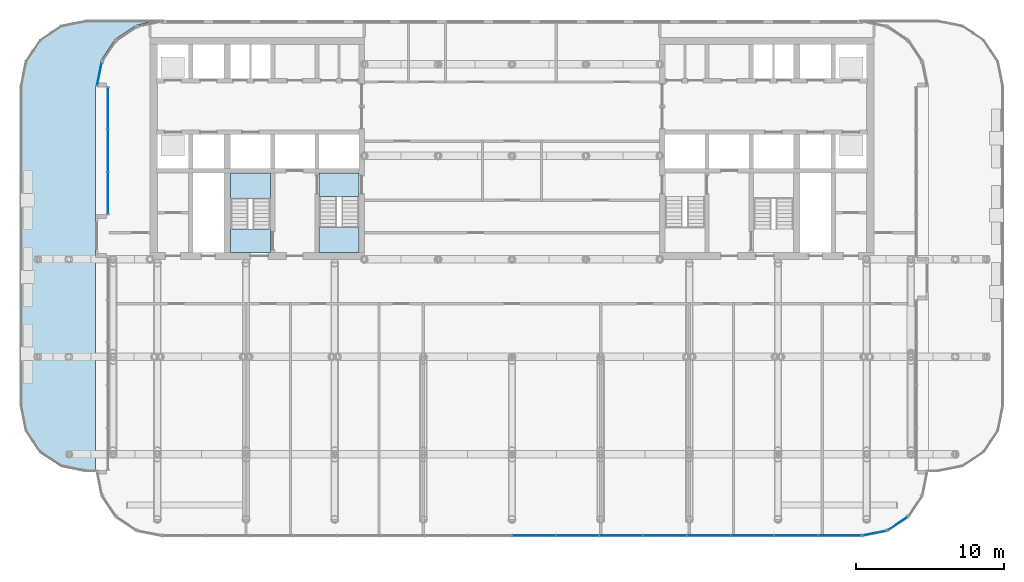
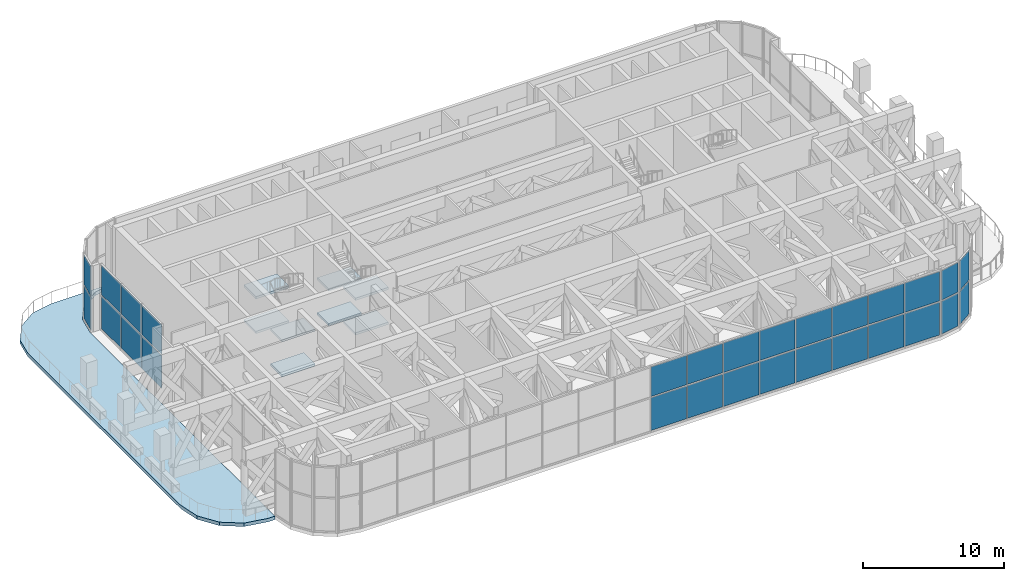
# One storey, part 12 of 25: 28 plates, 9 slabs, 7 elements without a shape of their own.
"""IFC4 building model written with IfcOpenShell, lengths in metres."""

from ifc_helpers import new_model, si_unit, direction, frame, origin, origin_2d, place, context, subcontext, project, spatial, polyline, rectangle, outline, extrude, material, layer, layer_set, type_object, element, aggregate, save


model = new_model("IFC4")

# Units and contexts
model_context = context("Model", 3, precision=1e-05, world=origin(), true_north=direction((0.0, 1.0)))
body_context = subcontext(model_context, "Body", "Model", "MODEL_VIEW")
ifc_project = project(units=[si_unit("LENGTHUNIT", "METRE"), si_unit("AREAUNIT", "SQUARE_METRE"), si_unit("VOLUMEUNIT", "CUBIC_METRE"), si_unit("PLANEANGLEUNIT", "RADIAN"), si_unit("MASSUNIT", "GRAM", prefix="KILO")], contexts=[model_context])

# Site, building, storey
site_placement = place(None, origin())
site = spatial("IfcSite", under=ifc_project, at=site_placement, CompositionType="ELEMENT")
building_placement = place(site_placement, origin())
building = spatial("IfcBuilding", under=site, at=building_placement, Name="Torana Hotel and Residences", CompositionType="ELEMENT")
storey_placement = place(building_placement, frame((0.0, 0.0, 106.800048828125)))
storey = spatial("IfcBuildingStorey", under=building, at=storey_placement, Name="L27", CompositionType="ELEMENT", Elevation=106.800048828125)

# Curtain wall, plates
ifc_material_1 = material(Name="Dark anodised aluminium", Category="aluminium")
ifc_layer_1 = layer(ifc_material_1, 0.199951171875)
ifc_layer_set_1 = layer_set([ifc_layer_1], Name="CW2 SKY LOBBY UNITISED CURTAIN WALL")
curtain_wall_type = type_object("IfcCurtainWallType", Name="CW2 SKY LOBBY UNITISED CURTAIN WALL", PredefinedType="NOTDEFINED", material=ifc_layer_set_1)
curtain_wall_1_placement = place(storey_placement, origin())
curtain_wall_1 = element("IfcCurtainWall", 1, at=curtain_wall_1_placement, inside=storey, type_object=curtain_wall_type, Name="Curtain wall CW2 L27 e0.8-1", PredefinedType="NOTDEFINED")
ifc_material_2 = material(Name="Glass dark tinted double glazed unit", Category="glass")
ifc_layer_2 = layer(ifc_material_2, 0.031982421875)
ifc_layer_set_2 = layer_set([ifc_layer_2], Name="CW2 DARK GLASS PANEL 32")
plate_type = type_object("IfcPlateType", Name="CW2 DARK GLASS PANEL 32", PredefinedType="CURTAIN_PANEL", material=ifc_layer_set_2)
plate_1_placement = place(storey_placement, frame((-27.93310546875, -2.470703125, 0.1201171875), z_axis=(0.0, 0.0, 1.0), x_axis=(-0.195063848566, -0.980790545928, 0.0)))
plate_1 = element("IfcPlate", 2, at=plate_1_placement, type_object=plate_type, Name="CW2 panel 1.1", PredefinedType="CURTAIN_PANEL", context=body_context, shape_type="SweptSolid", body=[
    extrude(rectangle(XDim=1.54150390625, YDim=0.031982421875, at=origin_2d()), origin(), (0.0, 0.0, 1.0), 2.820068359375),
])
plate_2_placement = place(storey_placement, frame((-27.93310546875, -2.470703125, 3.059814453125), z_axis=(0.0, 0.0, 1.0), x_axis=(-0.195063848566, -0.980790545928, 0.0)))
plate_2 = element("IfcPlate", 3, at=plate_2_placement, type_object=plate_type, Name="CW2 panel 1.2", PredefinedType="CURTAIN_PANEL", context=body_context, shape_type="SweptSolid", body=[
    extrude(rectangle(XDim=1.54150390625, YDim=0.031982421875, at=origin_2d()), origin(), (0.0, 0.0, 1.0), 2.5400390625),
])
aggregate(curtain_wall_1, [plate_1, plate_2])

curtain_wall_2_placement = place(storey_placement, origin())
curtain_wall_2 = element("IfcCurtainWall", 4, at=curtain_wall_2_placement, inside=storey, type_object=curtain_wall_type, Name="Curtain wall CW2 L27 e0.9-1", PredefinedType="NOTDEFINED")
plate_3_placement = place(storey_placement, frame((-27.330078125, -4.783935546875, 0.1201171875), z_axis=(0.0, 0.0, 1.0), x_axis=(0.0, -1.0, 0.0)))
plate_3 = element("IfcPlate", 5, at=plate_3_placement, type_object=plate_type, Name="CW2 panel 1.1", PredefinedType="CURTAIN_PANEL", context=body_context, shape_type="SweptSolid", body=[
    extrude(rectangle(XDim=2.7783203125, YDim=0.031982421875, at=origin_2d()), origin(), (0.0, 0.0, 1.0), 2.820068359375),
])
plate_4_placement = place(storey_placement, frame((-27.330078125, -4.783935546875, 3.059814453125), z_axis=(0.0, 0.0, 1.0), x_axis=(0.0, -1.0, 0.0)))
plate_4 = element("IfcPlate", 6, at=plate_4_placement, type_object=plate_type, Name="CW2 panel 1.2", PredefinedType="CURTAIN_PANEL", context=body_context, shape_type="SweptSolid", body=[
    extrude(rectangle(XDim=2.7783203125, YDim=0.031982421875, at=origin_2d()), origin(), (0.0, 0.0, 1.0), 2.5400390625),
])
plate_5_placement = place(storey_placement, frame((-27.330078125, -7.649658203125, 0.1201171875), z_axis=(0.0, 0.0, 1.0), x_axis=(0.0, -1.0, 0.0)))
plate_5 = element("IfcPlate", 7, at=plate_5_placement, type_object=plate_type, Name="CW2 panel 2.1", PredefinedType="CURTAIN_PANEL", context=body_context, shape_type="SweptSolid", body=[
    extrude(rectangle(XDim=2.8134765625, YDim=0.031982421875, at=origin_2d()), origin(), (0.0, 0.0, 1.0), 2.820068359375),
])
plate_6_placement = place(storey_placement, frame((-27.330078125, -7.649658203125, 3.059814453125), z_axis=(0.0, 0.0, 1.0), x_axis=(0.0, -1.0, 0.0)))
plate_6 = element("IfcPlate", 8, at=plate_6_placement, type_object=plate_type, Name="CW2 panel 2.2", PredefinedType="CURTAIN_PANEL", context=body_context, shape_type="SweptSolid", body=[
    extrude(rectangle(XDim=2.8134765625, YDim=0.031982421875, at=origin_2d()), origin(), (0.0, 0.0, 1.0), 2.5400390625),
])
plate_7_placement = place(storey_placement, frame((-27.330078125, -10.515625, 0.1201171875), z_axis=(0.0, 0.0, 1.0), x_axis=(0.0, -1.0, 0.0)))
plate_7 = element("IfcPlate", 9, at=plate_7_placement, type_object=plate_type, Name="CW2 panel 3.1", PredefinedType="CURTAIN_PANEL", context=body_context, shape_type="SweptSolid", body=[
    extrude(rectangle(XDim=2.7783203125, YDim=0.031982421875, at=origin_2d()), origin(), (0.0, 0.0, 1.0), 2.820068359375),
])
plate_8_placement = place(storey_placement, frame((-27.330078125, -10.515625, 3.059814453125), z_axis=(0.0, 0.0, 1.0), x_axis=(0.0, -1.0, 0.0)))
plate_8 = element("IfcPlate", 10, at=plate_8_placement, type_object=plate_type, Name="CW2 panel 3.2", PredefinedType="CURTAIN_PANEL", context=body_context, shape_type="SweptSolid", body=[
    extrude(rectangle(XDim=2.7783203125, YDim=0.031982421875, at=origin_2d()), origin(), (0.0, 0.0, 1.0), 2.5400390625),
])
aggregate(curtain_wall_2, [plate_3, plate_4, plate_5, plate_6, plate_7, plate_8])

curtain_wall_3_placement = place(storey_placement, origin())
curtain_wall_3 = element("IfcCurtainWall", 11, at=curtain_wall_3_placement, inside=storey, type_object=curtain_wall_type, Name="Curtain wall CW2 L27 e0.14-1", PredefinedType="NOTDEFINED")
plate_9_placement = place(storey_placement, frame((1.479736328125, -33.699951171875, 0.1201171875), z_axis=(0.0, 0.0, 1.0), x_axis=(1.0, 0.0, 0.0)))
plate_9 = element("IfcPlate", 12, at=plate_9_placement, type_object=plate_type, Name="CW2 panel 9.1", PredefinedType="CURTAIN_PANEL", context=body_context, shape_type="SweptSolid", body=[
    extrude(rectangle(XDim=2.889404296875, YDim=0.031982421875, at=origin_2d()), origin(), (0.0, 0.0, 1.0), 2.820068359375),
])
plate_10_placement = place(storey_placement, frame((1.479736328125, -33.699951171875, 3.059814453125), z_axis=(0.0, 0.0, 1.0), x_axis=(1.0, 0.0, 0.0)))
plate_10 = element("IfcPlate", 13, at=plate_10_placement, type_object=plate_type, Name="CW2 panel 9.2", PredefinedType="CURTAIN_PANEL", context=body_context, shape_type="SweptSolid", body=[
    extrude(rectangle(XDim=2.889404296875, YDim=0.031982421875, at=origin_2d()), origin(), (0.0, 0.0, 1.0), 2.5400390625),
])
plate_11_placement = place(storey_placement, frame((4.439208984375, -33.699951171875, 0.1201171875), z_axis=(0.0, 0.0, 1.0), x_axis=(1.0, 0.0, 0.0)))
plate_11 = element("IfcPlate", 14, at=plate_11_placement, type_object=plate_type, Name="CW2 panel 10.1", PredefinedType="CURTAIN_PANEL", context=body_context, shape_type="SweptSolid", body=[
    extrude(rectangle(XDim=2.889404296875, YDim=0.031982421875, at=origin_2d()), origin(), (0.0, 0.0, 1.0), 2.820068359375),
])
plate_12_placement = place(storey_placement, frame((4.439208984375, -33.699951171875, 3.059814453125), z_axis=(0.0, 0.0, 1.0), x_axis=(1.0, 0.0, 0.0)))
plate_12 = element("IfcPlate", 15, at=plate_12_placement, type_object=plate_type, Name="CW2 panel 10.2", PredefinedType="CURTAIN_PANEL", context=body_context, shape_type="SweptSolid", body=[
    extrude(rectangle(XDim=2.889404296875, YDim=0.031982421875, at=origin_2d()), origin(), (0.0, 0.0, 1.0), 2.5400390625),
])
plate_13_placement = place(storey_placement, frame((7.398681640625, -33.699951171875, 0.1201171875), z_axis=(0.0, 0.0, 1.0), x_axis=(1.0, 0.0, 0.0)))
plate_13 = element("IfcPlate", 16, at=plate_13_placement, type_object=plate_type, Name="CW2 panel 11.1", PredefinedType="CURTAIN_PANEL", context=body_context, shape_type="SweptSolid", body=[
    extrude(rectangle(XDim=2.889404296875, YDim=0.031982421875, at=origin_2d()), origin(), (0.0, 0.0, 1.0), 2.820068359375),
])
plate_14_placement = place(storey_placement, frame((7.398681640625, -33.699951171875, 3.059814453125), z_axis=(0.0, 0.0, 1.0), x_axis=(1.0, 0.0, 0.0)))
plate_14 = element("IfcPlate", 17, at=plate_14_placement, type_object=plate_type, Name="CW2 panel 11.2", PredefinedType="CURTAIN_PANEL", context=body_context, shape_type="SweptSolid", body=[
    extrude(rectangle(XDim=2.889404296875, YDim=0.031982421875, at=origin_2d()), origin(), (0.0, 0.0, 1.0), 2.5400390625),
])
plate_15_placement = place(storey_placement, frame((10.35791015625, -33.699951171875, 0.1201171875), z_axis=(0.0, 0.0, 1.0), x_axis=(1.0, 0.0, 0.0)))
plate_15 = element("IfcPlate", 18, at=plate_15_placement, type_object=plate_type, Name="CW2 panel 12.1", PredefinedType="CURTAIN_PANEL", context=body_context, shape_type="SweptSolid", body=[
    extrude(rectangle(XDim=2.889404296875, YDim=0.031982421875, at=origin_2d()), origin(), (0.0, 0.0, 1.0), 2.820068359375),
])
plate_16_placement = place(storey_placement, frame((10.35791015625, -33.699951171875, 3.059814453125), z_axis=(0.0, 0.0, 1.0), x_axis=(1.0, 0.0, 0.0)))
plate_16 = element("IfcPlate", 19, at=plate_16_placement, type_object=plate_type, Name="CW2 panel 12.2", PredefinedType="CURTAIN_PANEL", context=body_context, shape_type="SweptSolid", body=[
    extrude(rectangle(XDim=2.889404296875, YDim=0.031982421875, at=origin_2d()), origin(), (0.0, 0.0, 1.0), 2.5400390625),
])
plate_17_placement = place(storey_placement, frame((13.3173828125, -33.699951171875, 0.1201171875), z_axis=(0.0, 0.0, 1.0), x_axis=(1.0, 0.0, 0.0)))
plate_17 = element("IfcPlate", 20, at=plate_17_placement, type_object=plate_type, Name="CW2 panel 13.1", PredefinedType="CURTAIN_PANEL", context=body_context, shape_type="SweptSolid", body=[
    extrude(rectangle(XDim=2.889404296875, YDim=0.031982421875, at=origin_2d()), origin(), (0.0, 0.0, 1.0), 2.820068359375),
])
plate_18_placement = place(storey_placement, frame((13.3173828125, -33.699951171875, 3.059814453125), z_axis=(0.0, 0.0, 1.0), x_axis=(1.0, 0.0, 0.0)))
plate_18 = element("IfcPlate", 21, at=plate_18_placement, type_object=plate_type, Name="CW2 panel 13.2", PredefinedType="CURTAIN_PANEL", context=body_context, shape_type="SweptSolid", body=[
    extrude(rectangle(XDim=2.889404296875, YDim=0.031982421875, at=origin_2d()), origin(), (0.0, 0.0, 1.0), 2.5400390625),
])
plate_19_placement = place(storey_placement, frame((16.27685546875, -33.699951171875, 0.1201171875), z_axis=(0.0, 0.0, 1.0), x_axis=(1.0, 0.0, 0.0)))
plate_19 = element("IfcPlate", 22, at=plate_19_placement, type_object=plate_type, Name="CW2 panel 14.1", PredefinedType="CURTAIN_PANEL", context=body_context, shape_type="SweptSolid", body=[
    extrude(rectangle(XDim=2.889404296875, YDim=0.031982421875, at=origin_2d()), origin(), (0.0, 0.0, 1.0), 2.820068359375),
])
plate_20_placement = place(storey_placement, frame((16.27685546875, -33.699951171875, 3.059814453125), z_axis=(0.0, 0.0, 1.0), x_axis=(1.0, 0.0, 0.0)))
plate_20 = element("IfcPlate", 23, at=plate_20_placement, type_object=plate_type, Name="CW2 panel 14.2", PredefinedType="CURTAIN_PANEL", context=body_context, shape_type="SweptSolid", body=[
    extrude(rectangle(XDim=2.889404296875, YDim=0.031982421875, at=origin_2d()), origin(), (0.0, 0.0, 1.0), 2.5400390625),
])
plate_21_placement = place(storey_placement, frame((19.236328125, -33.699951171875, 0.1201171875), z_axis=(0.0, 0.0, 1.0), x_axis=(1.0, 0.0, 0.0)))
plate_21 = element("IfcPlate", 24, at=plate_21_placement, type_object=plate_type, Name="CW2 panel 15.1", PredefinedType="CURTAIN_PANEL", context=body_context, shape_type="SweptSolid", body=[
    extrude(rectangle(XDim=2.889404296875, YDim=0.031982421875, at=origin_2d()), origin(), (0.0, 0.0, 1.0), 2.820068359375),
])
plate_22_placement = place(storey_placement, frame((19.236328125, -33.699951171875, 3.059814453125), z_axis=(0.0, 0.0, 1.0), x_axis=(1.0, 0.0, 0.0)))
plate_22 = element("IfcPlate", 25, at=plate_22_placement, type_object=plate_type, Name="CW2 panel 15.2", PredefinedType="CURTAIN_PANEL", context=body_context, shape_type="SweptSolid", body=[
    extrude(rectangle(XDim=2.889404296875, YDim=0.031982421875, at=origin_2d()), origin(), (0.0, 0.0, 1.0), 2.5400390625),
])
plate_23_placement = place(storey_placement, frame((22.17822265625, -33.699951171875, 0.1201171875), z_axis=(0.0, 0.0, 1.0), x_axis=(1.0, 0.0, 0.0)))
plate_23 = element("IfcPlate", 26, at=plate_23_placement, type_object=plate_type, Name="CW2 panel 16.1", PredefinedType="CURTAIN_PANEL", context=body_context, shape_type="SweptSolid", body=[
    extrude(rectangle(XDim=2.8544921875, YDim=0.031982421875, at=origin_2d()), origin(), (0.0, 0.0, 1.0), 2.820068359375),
])
plate_24_placement = place(storey_placement, frame((22.17822265625, -33.699951171875, 3.059814453125), z_axis=(0.0, 0.0, 1.0), x_axis=(1.0, 0.0, 0.0)))
plate_24 = element("IfcPlate", 27, at=plate_24_placement, type_object=plate_type, Name="CW2 panel 16.2", PredefinedType="CURTAIN_PANEL", context=body_context, shape_type="SweptSolid", body=[
    extrude(rectangle(XDim=2.8544921875, YDim=0.031982421875, at=origin_2d()), origin(), (0.0, 0.0, 1.0), 2.5400390625),
])
aggregate(curtain_wall_3, [plate_9, plate_10, plate_11, plate_12, plate_13, plate_14, plate_15, plate_16, plate_17, plate_18, plate_19, plate_20, plate_21, plate_22, plate_23, plate_24])

curtain_wall_4_placement = place(storey_placement, origin())
curtain_wall_4 = element("IfcCurtainWall", 28, at=curtain_wall_4_placement, inside=storey, type_object=curtain_wall_type, Name="Curtain wall CW2 L27 e0.15-1", PredefinedType="NOTDEFINED")
plate_25_placement = place(storey_placement, frame((24.529296875, -33.533203125, 0.1201171875), z_axis=(0.0, 0.0, 1.0), x_axis=(0.980790545928, 0.195063848566, 0.0)))
plate_25 = element("IfcPlate", 29, at=plate_25_placement, type_object=plate_type, Name="CW2 panel 1.1", PredefinedType="CURTAIN_PANEL", context=body_context, shape_type="SweptSolid", body=[
    extrude(rectangle(XDim=1.54150390625, YDim=0.031982421875, at=origin_2d()), origin(), (0.0, 0.0, 1.0), 2.820068359375),
])
plate_26_placement = place(storey_placement, frame((24.529296875, -33.533203125, 3.059814453125), z_axis=(0.0, 0.0, 1.0), x_axis=(0.980790545928, 0.195063848566, 0.0)))
plate_26 = element("IfcPlate", 30, at=plate_26_placement, type_object=plate_type, Name="CW2 panel 1.2", PredefinedType="CURTAIN_PANEL", context=body_context, shape_type="SweptSolid", body=[
    extrude(rectangle(XDim=1.54150390625, YDim=0.031982421875, at=origin_2d()), origin(), (0.0, 0.0, 1.0), 2.5400390625),
])
aggregate(curtain_wall_4, [plate_25, plate_26])

curtain_wall_5_placement = place(storey_placement, origin())
curtain_wall_5 = element("IfcCurtainWall", 31, at=curtain_wall_5_placement, inside=storey, type_object=curtain_wall_type, Name="Curtain wall CW2 L27 e0.16-1", PredefinedType="NOTDEFINED")
plate_27_placement = place(storey_placement, frame((26.096435546875, -32.88671875, 0.1201171875), z_axis=(0.0, 0.0, 1.0), x_axis=(0.831473968618, 0.555563713278, 0.0)))
plate_27 = element("IfcPlate", 32, at=plate_27_placement, type_object=plate_type, Name="CW2 panel 1.1", PredefinedType="CURTAIN_PANEL", context=body_context, shape_type="SweptSolid", body=[
    extrude(rectangle(XDim=1.516357421875, YDim=0.031982421875, at=origin_2d()), origin(), (0.0, 0.0, 1.0), 2.820068359375),
])
plate_28_placement = place(storey_placement, frame((26.096435546875, -32.88671875, 3.059814453125), z_axis=(0.0, 0.0, 1.0), x_axis=(0.831473968618, 0.555563713278, 0.0)))
plate_28 = element("IfcPlate", 33, at=plate_28_placement, type_object=plate_type, Name="CW2 panel 1.2", PredefinedType="CURTAIN_PANEL", context=body_context, shape_type="SweptSolid", body=[
    extrude(rectangle(XDim=1.516357421875, YDim=0.031982421875, at=origin_2d()), origin(), (0.0, 0.0, 1.0), 2.5400390625),
])
aggregate(curtain_wall_5, [plate_27, plate_28])

# Stair, slabs
ifc_material_3 = material(Name="Concrete C40/50 precast", Category="concrete")
stair_type_1 = type_object("IfcStairType", Name="STAIR ST1 HALF TURN 1200", PredefinedType="HALF_TURN_STAIR", material=ifc_material_3)
stair_1_placement = place(storey_placement, origin())
stair_1 = element("IfcStair", 34, at=stair_1_placement, inside=storey, type_object=stair_type_1, Name="Stair ST1 L27", PredefinedType="HALF_TURN_STAIR")
ifc_material_4 = material(Name="Concrete C40/50 precast", Category="concrete")
ifc_layer_3 = layer(ifc_material_4, 0.199951171875)
ifc_layer_set_3 = layer_set([ifc_layer_3], Name="STAIR LANDING 200")
slab_type_1 = type_object("IfcSlabType", Name="STAIR LANDING 200", PredefinedType="LANDING", material=ifc_layer_set_3)
slab_1_placement = place(storey_placement, frame((0.0, 0.0, 1.300048828125)))
slab_1 = element("IfcSlab", 35, at=slab_1_placement, type_object=slab_type_1, Name="ST1 landing 1", PredefinedType="LANDING", context=body_context, shape_type="SweptSolid", body=[
    extrude(outline(polyline([(-13.050048828125, -14.550048828125), (-10.35009765625, -14.550048828125), (-10.35009765625, -12.830078125), (-13.050048828125, -12.830078125), (-13.050048828125, -14.550048828125)])), origin(), (0.0, 0.0, 1.0), 0.199951171875),
])
slab_2_placement = place(storey_placement, frame((0.0, 0.0, -0.199951171875)))
slab_2 = element("IfcSlab", 36, at=slab_2_placement, type_object=slab_type_1, Name="ST1 landing 2", PredefinedType="LANDING", context=body_context, shape_type="SweptSolid", body=[
    extrude(outline(polyline([(-13.050048828125, -10.75), (-10.35009765625, -10.75), (-10.35009765625, -9.14990234375), (-13.050048828125, -9.14990234375), (-13.050048828125, -10.75)])), origin(), (0.0, 0.0, 1.0), 0.199951171875),
])
slab_3_placement = place(storey_placement, frame((0.0, 0.0, 4.300048828125)))
slab_3 = element("IfcSlab", 37, at=slab_3_placement, type_object=slab_type_1, Name="ST1 landing 3", PredefinedType="LANDING", context=body_context, shape_type="SweptSolid", body=[
    extrude(outline(polyline([(-13.050048828125, -14.550048828125), (-10.35009765625, -14.550048828125), (-10.35009765625, -12.830078125), (-13.050048828125, -12.830078125), (-13.050048828125, -14.550048828125)])), origin(), (0.0, 0.0, 1.0), 0.199951171875),
])
slab_4_placement = place(storey_placement, frame((0.0, 0.0, 2.800048828125)))
slab_4 = element("IfcSlab", 38, at=slab_4_placement, type_object=slab_type_1, Name="ST1 landing 4", PredefinedType="LANDING", context=body_context, shape_type="SweptSolid", body=[
    extrude(outline(polyline([(-13.050048828125, -10.75), (-10.35009765625, -10.75), (-10.35009765625, -9.14990234375), (-13.050048828125, -9.14990234375), (-13.050048828125, -10.75)])), origin(), (0.0, 0.0, 1.0), 0.199951171875),
])
aggregate(stair_1, [slab_1, slab_2, slab_3, slab_4])

ifc_material_5 = material(Name="Concrete C40/50 precast", Category="concrete")
stair_type_2 = type_object("IfcStairType", Name="STAIR ST2 HALF TURN 1200", PredefinedType="HALF_TURN_STAIR", material=ifc_material_5)
stair_2_placement = place(storey_placement, origin())
stair_2 = element("IfcStair", 39, at=stair_2_placement, inside=storey, type_object=stair_type_2, Name="Stair ST2 L27", PredefinedType="HALF_TURN_STAIR")
slab_5_placement = place(storey_placement, frame((0.0, 0.0, 1.300048828125)))
slab_5 = element("IfcSlab", 40, at=slab_5_placement, type_object=slab_type_1, Name="ST2 landing 1", PredefinedType="LANDING", context=body_context, shape_type="SweptSolid", body=[
    extrude(outline(polyline([(-19.050048828125, -10.8701171875), (-16.35009765625, -10.8701171875), (-16.35009765625, -9.14990234375), (-19.050048828125, -9.14990234375), (-19.050048828125, -10.8701171875)])), origin(), (0.0, 0.0, 1.0), 0.199951171875),
])
slab_6_placement = place(storey_placement, frame((0.0, 0.0, -0.199951171875)))
slab_6 = element("IfcSlab", 41, at=slab_6_placement, type_object=slab_type_1, Name="ST2 landing 2", PredefinedType="LANDING", context=body_context, shape_type="SweptSolid", body=[
    extrude(outline(polyline([(-19.050048828125, -14.550048828125), (-16.35009765625, -14.550048828125), (-16.35009765625, -12.949951171875), (-19.050048828125, -12.949951171875), (-19.050048828125, -14.550048828125)])), origin(), (0.0, 0.0, 1.0), 0.199951171875),
])
slab_7_placement = place(storey_placement, frame((0.0, 0.0, 4.300048828125)))
slab_7 = element("IfcSlab", 42, at=slab_7_placement, type_object=slab_type_1, Name="ST2 landing 3", PredefinedType="LANDING", context=body_context, shape_type="SweptSolid", body=[
    extrude(outline(polyline([(-19.050048828125, -10.8701171875), (-16.35009765625, -10.8701171875), (-16.35009765625, -9.14990234375), (-19.050048828125, -9.14990234375), (-19.050048828125, -10.8701171875)])), origin(), (0.0, 0.0, 1.0), 0.199951171875),
])
slab_8_placement = place(storey_placement, frame((0.0, 0.0, 2.800048828125)))
slab_8 = element("IfcSlab", 43, at=slab_8_placement, type_object=slab_type_1, Name="ST2 landing 4", PredefinedType="LANDING", context=body_context, shape_type="SweptSolid", body=[
    extrude(outline(polyline([(-19.050048828125, -14.550048828125), (-16.35009765625, -14.550048828125), (-16.35009765625, -12.949951171875), (-19.050048828125, -12.949951171875), (-19.050048828125, -14.550048828125)])), origin(), (0.0, 0.0, 1.0), 0.199951171875),
])
aggregate(stair_2, [slab_5, slab_6, slab_7, slab_8])

# Slab
ifc_material_6 = material(Name="Concrete C40/50", Category="concrete")
ifc_layer_4 = layer(ifc_material_6, 0.300048828125)
ifc_layer_set_4 = layer_set([ifc_layer_4], Name="TR1 TERRACE SLAB 300")
slab_type_2 = type_object("IfcSlabType", Name="TR1 TERRACE SLAB 300", PredefinedType="USERDEFINED", material=ifc_layer_set_4)
slab_9_placement = place(storey_placement, frame((0.0, 0.0, -0.300048828125)))
element("IfcSlab", 44, at=slab_9_placement, inside=storey, type_object=slab_type_2, Name="Terrace L27 2", ObjectType="TERRACE", PredefinedType="USERDEFINED", context=body_context, shape_type="SweptSolid", body=[
    extrude(outline(polyline([(-28.800048828125, -29.39990234375), (-30.522216796875, -29.0576171875), (-31.98193359375, -28.08203125), (-32.95751953125, -26.6220703125), (-33.300048828125, -24.89990234375), (-33.300048828125, -3.300048828125), (-32.95751953125, -1.577880859375), (-31.98193359375, -0.117919921875), (-30.522216796875, 0.857421875), (-28.800048828125, 1.199951171875), (-23.705078125, 1.199951171875), (-25.42236328125, 0.8583984375), (-25.42236328125, 0.8583984375), (-25.422607421875, 0.8583984375), (-25.422607421875, 0.8583984375), (-25.422607421875, 0.8583984375), (-26.882568359375, -0.1171875), (-26.882568359375, -0.1171875), (-26.8828125, -0.1171875), (-26.8828125, -0.117431640625), (-26.8828125, -0.117431640625), (-27.8583984375, -1.577392578125), (-27.8583984375, -1.577392578125), (-27.8583984375, -1.577392578125), (-27.8583984375, -1.57763671875), (-27.8583984375, -1.57763671875), (-28.200927734375, -3.2998046875), (-28.200927734375, -3.2998046875), (-28.200927734375, -3.300048828125), (-28.200927734375, -29.300048828125), (-28.200927734375, -29.300048828125), (-28.200927734375, -29.30029296875), (-28.18115234375, -29.39990234375), (-28.800048828125, -29.39990234375)])), origin(), (0.0, 0.0, 1.0), 0.300048828125),
])

save(model, "model.ifc")
